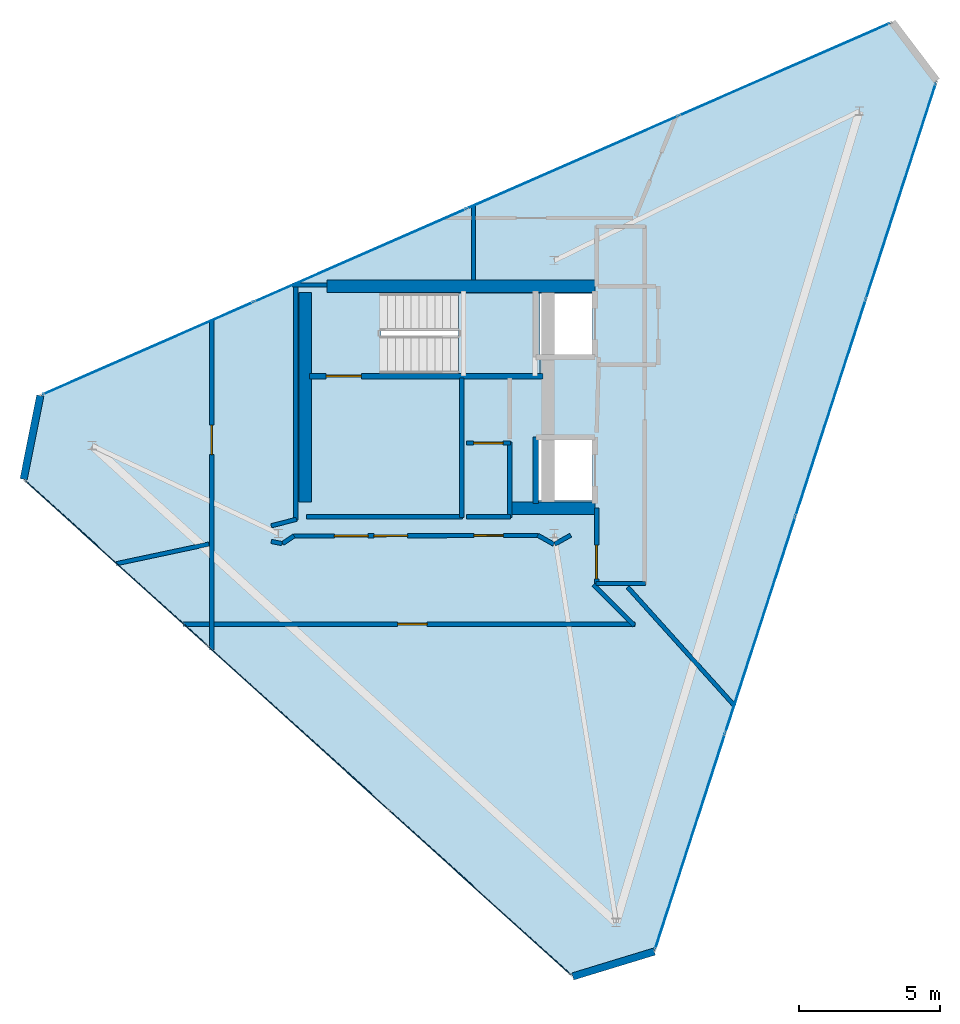
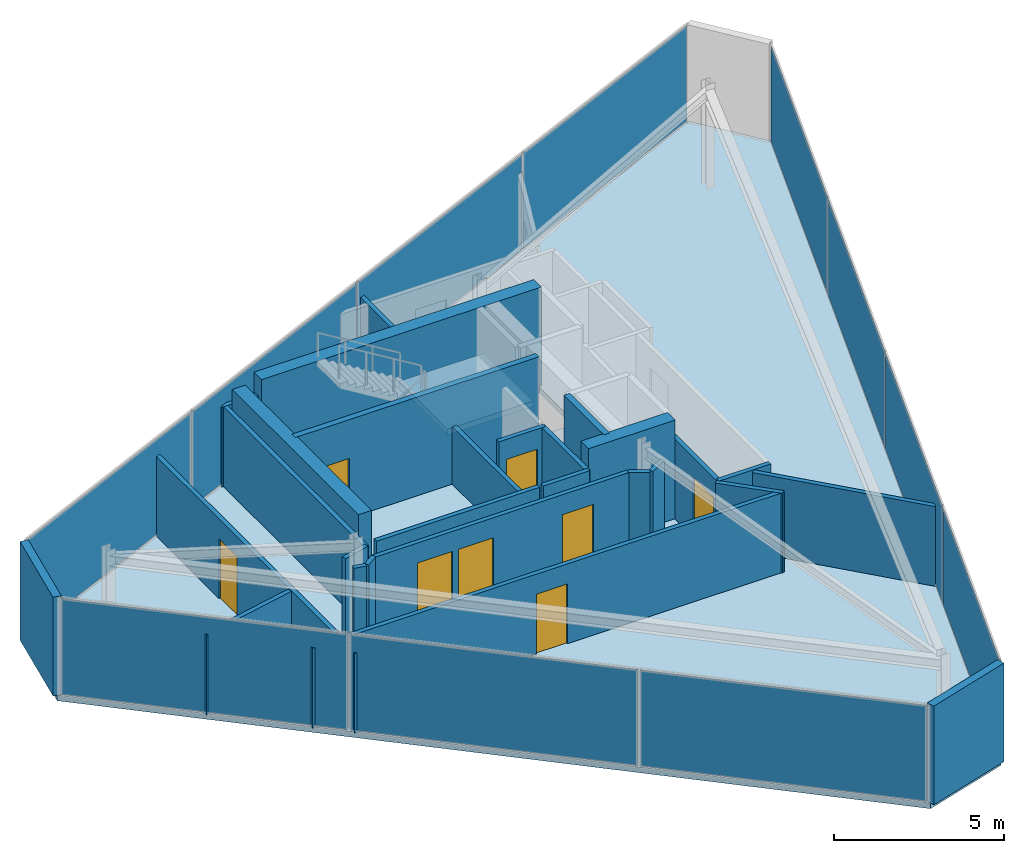
# One storey, part 14 of 16: 28 walls, 11 plates, 8 doors, 2 slabs, 8 openings, 4 elements without a shape of their own.
"""IFC4 building model written with IfcOpenShell, lengths in metres."""

from ifc_helpers import new_model, si_unit, direction, frame, frame_2d, origin, origin_2d, place, context, subcontext, project, spatial, polyline, rectangle, outline, extrude, material, layer, layer_set, type_object, element, fill, aggregate, save


model = new_model("IFC4")

# Units and contexts
model_context = context("Model", 3, precision=1e-05, world=origin(), true_north=direction((0.0, 1.0)))
body_context = subcontext(model_context, "Body", "Model", "MODEL_VIEW")
ifc_project = project(units=[si_unit("LENGTHUNIT", "METRE"), si_unit("AREAUNIT", "SQUARE_METRE"), si_unit("VOLUMEUNIT", "CUBIC_METRE"), si_unit("PLANEANGLEUNIT", "RADIAN"), si_unit("MASSUNIT", "GRAM", prefix="KILO")], contexts=[model_context])

# Site, building, storey
site_placement = place(None, origin())
site = spatial("IfcSite", under=ifc_project, at=site_placement, CompositionType="ELEMENT")
building_placement = place(site_placement, origin())
building = spatial("IfcBuilding", under=site, at=building_placement, Name="Qianvela Tower", CompositionType="ELEMENT")
storey_placement = place(building_placement, frame((0.0, 0.0, 367.550048828125)))
storey = spatial("IfcBuildingStorey", under=building, at=storey_placement, Name="L95", CompositionType="ELEMENT", Elevation=367.550048828125)

# Curtain wall, plates
ifc_material_1 = material(Name="Anodised Architectural Aluminium and Low-E Glass", Category="aluminium")
ifc_layer_1 = layer(ifc_material_1, 0.159912109375)
ifc_layer_set_1 = layer_set([ifc_layer_1], Name="Anodised Architectural Aluminium and Low-E Glass")
curtain_wall_type = type_object("IfcCurtainWallType", Name="CW-CROWN", PredefinedType="USERDEFINED", material=ifc_layer_set_1)
curtain_wall_1_placement = place(storey_placement, origin())
curtain_wall_1 = element("IfcCurtainWall", 1, at=curtain_wall_1_placement, inside=storey, type_object=curtain_wall_type, Name="L95 CW-CROWN Curtain Wall 02", ObjectType="CURTAIN_WALL_SYSTEM", PredefinedType="USERDEFINED")
ifc_material_2 = material(Name="Double-Silver Low-E Insulated Glass", Category="glass")
ifc_layer_2 = layer(ifc_material_2, 0.030029296875)
ifc_layer_set_2 = layer_set([ifc_layer_2], Name="Double-Silver Low-E Insulated Glass")
plate_type = type_object("IfcPlateType", Name="CW-CROWN-PNL", PredefinedType="CURTAIN_PANEL", material=ifc_layer_set_2)
plate_1_placement = place(storey_placement, frame((46.582763671875, 40.3466796875, 0.06005859375), z_axis=(0.0, 0.0, 1.0), x_axis=(-0.915907261247, -0.401389946055, 0.0)))
plate_1 = element("IfcPlate", 2, at=plate_1_placement, type_object=plate_type, Name="CW-8 panel 1.1", PredefinedType="CURTAIN_PANEL", context=body_context, shape_type="SweptSolid", body=[
    extrude(rectangle(XDim=8.14306640625, YDim=0.030029296875, at=origin_2d()), origin(), (0.0, 0.0, 1.0), 3.429931640625),
])
plate_2_placement = place(storey_placement, frame((39.050048828125, 37.045654296875, 0.06005859375), z_axis=(0.0, 0.0, 1.0), x_axis=(-0.915907261247, -0.401389946055, 0.0)))
plate_2 = element("IfcPlate", 3, at=plate_2_placement, type_object=plate_type, Name="CW-8 panel 2.1", PredefinedType="CURTAIN_PANEL", context=body_context, shape_type="SweptSolid", body=[
    extrude(rectangle(XDim=8.175537109375, YDim=0.030029296875, at=origin_2d()), origin(), (0.0, 0.0, 1.0), 3.429931640625),
])
plate_3_placement = place(storey_placement, frame((31.502685546875, 33.738037109375, 0.06005859375), z_axis=(0.0, 0.0, 1.0), x_axis=(-0.915907261247, -0.401389946055, 0.0)))
plate_3 = element("IfcPlate", 4, at=plate_3_placement, type_object=plate_type, Name="CW-8 panel 3.1", PredefinedType="CURTAIN_PANEL", context=body_context, shape_type="SweptSolid", body=[
    extrude(rectangle(XDim=8.175537109375, YDim=0.030029296875, at=origin_2d()), origin(), (0.0, 0.0, 1.0), 3.429931640625),
])
plate_4_placement = place(storey_placement, frame((23.969970703125, 30.436767578125, 0.06005859375), z_axis=(0.0, 0.0, 1.0), x_axis=(-0.915907261247, -0.401389946055, 0.0)))
plate_4 = element("IfcPlate", 5, at=plate_4_placement, type_object=plate_type, Name="CW-8 panel 4.1", PredefinedType="CURTAIN_PANEL", context=body_context, shape_type="SweptSolid", body=[
    extrude(rectangle(XDim=8.14306640625, YDim=0.030029296875, at=origin_2d()), origin(), (0.0, 0.0, 1.0), 3.429931640625),
])
aggregate(curtain_wall_1, [plate_1, plate_2, plate_3, plate_4])

curtain_wall_2_placement = place(storey_placement, origin())
curtain_wall_2 = element("IfcCurtainWall", 6, at=curtain_wall_2_placement, inside=storey, type_object=curtain_wall_type, Name="L95 CW-CROWN Curtain Wall 04", ObjectType="CURTAIN_WALL_SYSTEM", PredefinedType="USERDEFINED")
plate_5_placement = place(storey_placement, frame((22.831787109375, 22.8037109375, 0.06005859375), z_axis=(0.0, 0.0, 1.0), x_axis=(0.741272188003, -0.671204546538, 0.0)))
plate_5 = element("IfcPlate", 7, at=plate_5_placement, type_object=plate_type, Name="CW-8 panel 1.1", PredefinedType="CURTAIN_PANEL", context=body_context, shape_type="SweptSolid", body=[
    extrude(rectangle(XDim=8.646484375, YDim=0.030029296875, at=origin_2d()), origin(), (0.0, 0.0, 1.0), 3.429931640625),
])
plate_6_placement = place(storey_placement, frame((29.30126953125, 16.945556640625, 0.06005859375), z_axis=(0.0, 0.0, 1.0), x_axis=(0.741272188003, -0.671204546538, 0.0)))
plate_6 = element("IfcPlate", 8, at=plate_6_placement, type_object=plate_type, Name="CW-8 panel 2.1", PredefinedType="CURTAIN_PANEL", context=body_context, shape_type="SweptSolid", body=[
    extrude(rectangle(XDim=8.678955078125, YDim=0.030029296875, at=origin_2d()), origin(), (0.0, 0.0, 1.0), 3.429931640625),
])
plate_7_placement = place(storey_placement, frame((35.77099609375, 11.08740234375, 0.06005859375), z_axis=(0.0, 0.0, 1.0), x_axis=(0.741272188003, -0.671204546538, 0.0)))
plate_7 = element("IfcPlate", 9, at=plate_7_placement, type_object=plate_type, Name="CW-8 panel 3.1", PredefinedType="CURTAIN_PANEL", context=body_context, shape_type="SweptSolid", body=[
    extrude(rectangle(XDim=8.646484375, YDim=0.030029296875, at=origin_2d()), origin(), (0.0, 0.0, 1.0), 3.429931640625),
])
aggregate(curtain_wall_2, [plate_5, plate_6, plate_7])

curtain_wall_3_placement = place(storey_placement, origin())
curtain_wall_3 = element("IfcCurtainWall", 10, at=curtain_wall_3_placement, inside=storey, type_object=curtain_wall_type, Name="L95 CW-CROWN Curtain Wall 06", ObjectType="CURTAIN_WALL_SYSTEM", PredefinedType="USERDEFINED")
plate_8_placement = place(storey_placement, frame((43.232421875, 12.91357421875, 0.06005859375), z_axis=(0.0, 0.0, 1.0), x_axis=(0.30840367085, 0.951255578594, 0.0)))
plate_8 = element("IfcPlate", 11, at=plate_8_placement, type_object=plate_type, Name="CW-8 panel 1.1", PredefinedType="CURTAIN_PANEL", context=body_context, shape_type="SweptSolid", body=[
    extrude(rectangle(XDim=8.01171875, YDim=0.030029296875, at=origin_2d()), origin(), (0.0, 0.0, 1.0), 3.429931640625),
])
plate_9_placement = place(storey_placement, frame((45.728271484375, 20.612060546875, 0.06005859375), z_axis=(0.0, 0.0, 1.0), x_axis=(0.30840367085, 0.951255578594, 0.0)))
plate_9 = element("IfcPlate", 12, at=plate_9_placement, type_object=plate_type, Name="CW-8 panel 2.1", PredefinedType="CURTAIN_PANEL", context=body_context, shape_type="SweptSolid", body=[
    extrude(rectangle(XDim=8.044189453125, YDim=0.030029296875, at=origin_2d()), origin(), (0.0, 0.0, 1.0), 3.429931640625),
])
plate_10_placement = place(storey_placement, frame((48.229248046875, 28.325927734375, 0.06005859375), z_axis=(0.0, 0.0, 1.0), x_axis=(0.30840367085, 0.951255578594, 0.0)))
plate_10 = element("IfcPlate", 13, at=plate_10_placement, type_object=plate_type, Name="CW-8 panel 3.1", PredefinedType="CURTAIN_PANEL", context=body_context, shape_type="SweptSolid", body=[
    extrude(rectangle(XDim=8.044189453125, YDim=0.030029296875, at=origin_2d()), origin(), (0.0, 0.0, 1.0), 3.429931640625),
])
plate_11_placement = place(storey_placement, frame((50.72509765625, 36.0244140625, 0.06005859375), z_axis=(0.0, 0.0, 1.0), x_axis=(0.30840367085, 0.951255578594, 0.0)))
plate_11 = element("IfcPlate", 14, at=plate_11_placement, type_object=plate_type, Name="CW-8 panel 4.1", PredefinedType="CURTAIN_PANEL", context=body_context, shape_type="SweptSolid", body=[
    extrude(rectangle(XDim=8.01171875, YDim=0.030029296875, at=origin_2d()), origin(), (0.0, 0.0, 1.0), 3.429931640625),
])
aggregate(curtain_wall_3, [plate_8, plate_9, plate_10, plate_11])

# Slab
ifc_material_3 = material(Name="Concrete C40", Category="concrete")
ifc_layer_3 = layer(ifc_material_3, 0.199951171875)
ifc_layer_set_3 = layer_set([ifc_layer_3], Name="Concrete C40")
slab_type_1 = type_object("IfcSlabType", Name="SL-CROWN-200", PredefinedType="FLOOR", material=ifc_layer_set_3)
slab_1_placement = place(storey_placement, frame((0.0, 0.0, -0.199951171875)))
element("IfcSlab", 15, at=slab_1_placement, inside=storey, type_object=slab_type_1, Name="L95 Composite Structural Floor Slab", PredefinedType="FLOOR", context=body_context, shape_type="SweptSolid", body=[
    extrude(outline(polyline([(51.995849609375, 39.9443359375), (50.417236328125, 42.027099609375), (20.135498046875, 28.75634765625), (19.541748046875, 25.78271484375), (39.060791015625, 8.1083984375), (41.96142578125, 8.99365234375), (51.995849609375, 39.9443359375)]), holes=[polyline([(37.840087890625, 25.02001953125), (39.760009765625, 25.02001953125), (39.760009765625, 27.179931640625), (37.840087890625, 27.179931640625), (37.840087890625, 25.02001953125)]), polyline([(37.89990234375, 29.5400390625), (37.89990234375, 30.219970703125), (39.760009765625, 30.219970703125), (39.760009765625, 32.3798828125), (37.89990234375, 32.3798828125), (37.89990234375, 32.39990234375), (32.25, 32.39990234375), (32.25, 29.5400390625), (37.89990234375, 29.5400390625)])]), origin(), (0.0, 0.0, 1.0), 0.199951171875),
])

# Stair, slab
ifc_material_4 = material(Name="Concrete C40", Category="concrete")
stair_type = type_object("IfcStairType", Name="ST-DOGLEG-1350-R170-N22", PredefinedType="HALF_TURN_STAIR", material=ifc_material_4)
stair_placement = place(storey_placement, origin())
stair = element("IfcStair", 16, at=stair_placement, inside=storey, type_object=stair_type, Name="L95 Smoke-Proof Core Stair ST-1", PredefinedType="HALF_TURN_STAIR")
ifc_material_5 = material(Name="Concrete C40", Category="concrete")
ifc_layer_4 = layer(ifc_material_5, 0.199951171875)
ifc_layer_set_4 = layer_set([ifc_layer_4], Name="Concrete C40")
slab_type_2 = type_object("IfcSlabType", Name="SL-STAIR-LANDING-200", PredefinedType="LANDING", material=ifc_layer_set_4)
slab_2_placement = place(storey_placement, frame((0.0, 0.0, 1.675048828125)))
slab_2 = element("IfcSlab", 17, at=slab_2_placement, type_object=slab_type_2, Name="ST-1 landing 1", PredefinedType="LANDING", context=body_context, shape_type="SweptSolid", body=[
    extrude(outline(polyline([(35.0, 29.5400390625), (37.89990234375, 29.5400390625), (37.89990234375, 32.39990234375), (35.0, 32.39990234375), (35.0, 29.5400390625)])), origin(), (0.0, 0.0, 1.0), 0.199951171875),
])
aggregate(stair, [slab_2])

# Walls
ifc_material_6 = material(Name="Terracotta Cladding on Concrete C40", Category="masonry")
ifc_layer_5 = layer(ifc_material_6, 0.260009765625)
ifc_layer_set_5 = layer_set([ifc_layer_5], Name="Terracotta Cladding on Concrete C40")
wall_type_1 = type_object("IfcWallType", Name="TERRACOTTA-WALL-260", PredefinedType="SOLIDWALL", material=ifc_layer_set_5)
wall_1_placement = place(storey_placement, frame((20.135498046875, 28.75634765625, 0.0), z_axis=(0.0, 0.0, 1.0), x_axis=(-0.1958064618, -0.980642559508, 0.0)))
element("IfcWall", 18, at=wall_1_placement, inside=storey, type_object=wall_type_1, Name="L95 Crown Terracotta Cladding Wall 3", PredefinedType="SOLIDWALL", context=body_context, shape_type="SweptSolid", body=[
    extrude(rectangle(XDim=3.0322265625, YDim=0.260009765625, at=frame_2d((1.51611328125, 0.0))), origin(), (0.0, 0.0, 1.0), 3.550048828125),
])
wall_2_placement = place(storey_placement, frame((39.060791015625, 8.1083984375, 0.0), z_axis=(0.0, 0.0, 1.0), x_axis=(0.956448382661, 0.291901509598, 0.0)))
element("IfcWall", 19, at=wall_2_placement, inside=storey, type_object=wall_type_1, Name="L95 Crown Terracotta Cladding Wall 5", PredefinedType="SOLIDWALL", context=body_context, shape_type="SweptSolid", body=[
    extrude(rectangle(XDim=3.03271484375, YDim=0.260009765625, at=frame_2d((1.516357421875, 0.0))), origin(), (0.0, 0.0, 1.0), 3.550048828125),
])
ifc_material_7 = material(Name="Concrete C50", Category="concrete")
ifc_layer_6 = layer(ifc_material_7, 0.449951171875)
ifc_layer_set_6 = layer_set([ifc_layer_6], Name="Concrete C50")
wall_type_2 = type_object("IfcWallType", Name="WT-CORE-450", PredefinedType="SHEAR", material=ifc_layer_set_6)
wall_3_placement = place(storey_placement, frame((30.330078125, 32.64501953125, 0.0), z_axis=(0.0, 0.0, 1.0), x_axis=(1.0, 0.0, 0.0)))
element("IfcWall", 20, at=wall_3_placement, inside=storey, type_object=wall_type_2, Name="L95 North Core Shear Wall", PredefinedType="SHEAR", context=body_context, shape_type="SweptSolid", body=[
    extrude(rectangle(XDim=9.52001953125, YDim=0.449951171875, at=frame_2d((4.760009765625, 0.0))), origin(), (0.0, 0.0, 1.0), 3.550048828125),
])
wall_4_placement = place(storey_placement, frame((36.89990234375, 24.7548828125, 0.0), z_axis=(0.0, 0.0, 1.0), x_axis=(1.0, 0.0, 0.0)))
element("IfcWall", 21, at=wall_4_placement, inside=storey, type_object=wall_type_2, Name="L95 South Core Shear Wall", PredefinedType="SHEAR", context=body_context, shape_type="SweptSolid", body=[
    extrude(rectangle(XDim=2.9501953125, YDim=0.449951171875, at=frame_2d((1.47509765625, 0.0))), origin(), (0.0, 0.0, 1.0), 3.550048828125),
])
wall_5_placement = place(storey_placement, frame((29.554931640625, 24.97998046875, 0.0), z_axis=(0.0, 0.0, 1.0), x_axis=(0.0, 1.0, 0.0)))
element("IfcWall", 22, at=wall_5_placement, inside=storey, type_object=wall_type_2, Name="L95 West Core Shear Wall", PredefinedType="SHEAR", context=body_context, shape_type="SweptSolid", body=[
    extrude(rectangle(XDim=7.43994140625, YDim=0.449951171875, at=frame_2d((3.719970703125, 0.0))), origin(), (0.0, 0.0, 1.0), 3.550048828125),
])
ifc_material_8 = material(Name="Fire-Rated Acoustic Gypsum Board")
ifc_layer_7 = layer(ifc_material_8, 0.14990234375)
ifc_layer_set_7 = layer_set([ifc_layer_7], Name="Fire-Rated Acoustic Gypsum Board")
wall_type_3 = type_object("IfcWallType", Name="WT-CORR-150", PredefinedType="PARTITIONING", material=ifc_layer_set_7)
wall_6_placement = place(storey_placement, frame((35.14990234375, 24.450927734375, 0.0), z_axis=(0.0, 0.0, 1.0), x_axis=(-1.0, 0.0, 0.0)))
element("IfcWall", 23, at=wall_6_placement, inside=storey, type_object=wall_type_3, Name="L95 Partition 1", PredefinedType="PARTITIONING", context=body_context, shape_type="SweptSolid", body=[
    extrude(rectangle(XDim=5.5498046875, YDim=0.14990234375, at=frame_2d((2.77490234375, 0.0))), origin(), (0.0, 0.0, 1.0), 2.869873046875),
])
wall_7_placement = place(storey_placement, frame((35.118896484375, 29.3798828125, 0.0), z_axis=(0.0, 0.0, 1.0), x_axis=(0.0, -1.0, 0.0)))
element("IfcWall", 24, at=wall_7_placement, inside=storey, type_object=wall_type_3, Name="L95 Partition 4", PredefinedType="PARTITIONING", context=body_context, shape_type="SweptSolid", body=[
    extrude(rectangle(XDim=4.9599609375, YDim=0.14990234375, at=frame_2d((2.47998046875, 0.0))), origin(), (0.0, 0.0, 1.0), 2.079833984375),
])

# Wall, opening, door
wall_8_placement = place(storey_placement, frame((39.910888671875, 22.050048828125, 0.0), z_axis=(0.0, 0.0, 1.0), x_axis=(0.0, 1.0, 0.0)))
wall_8 = element("IfcWall", 25, at=wall_8_placement, inside=storey, type_object=wall_type_3, Name="L95 Partition 5", PredefinedType="PARTITIONING", context=body_context, shape_type="SweptSolid", body=[
    extrude(rectangle(XDim=2.7099609375, YDim=0.14990234375, at=frame_2d((1.35498046875, 0.0))), origin(), (0.0, 0.0, 1.0), 2.869873046875),
])
opening_1_placement = place(wall_8_placement, frame((0.195068359375, 0.0, 0.0)))
opening_1 = element("IfcOpeningElement", 26, at=opening_1_placement, cuts=wall_8, Name="Opening D-LB1", PredefinedType="OPENING", context=body_context, shape_type="SweptSolid", body=[
    extrude(rectangle(XDim=1.199951171875, YDim=2.14990234375, at=frame_2d((0.60009765625, 1.074951171875))), frame((0.0, 0.0849609375, 0.0), z_axis=(0.0, -1.0, 0.0), x_axis=(1.0, 0.0, 0.0)), (0.0, 0.0, 1.0), 0.169921875),
])
ifc_material_9 = material(Name="Glazed Fire-Rated Steel Frame", Category="steel")
door_type_1 = type_object("IfcDoorType", Name="DT-LOBBY-FD90", OperationType="NOTDEFINED", PredefinedType="DOOR", material=ifc_material_9)
door_1_placement = place(opening_1_placement, origin())
door_1 = element("IfcDoor", 27, at=door_1_placement, inside=storey, type_object=door_type_1, Name="L95 Door L95 Lift Lobby to L95 Crown Maintenance Corridor", OperationType="SINGLE_SWING_RIGHT", OverallHeight=2.14990234375, OverallWidth=1.199951171875, PredefinedType="DOOR", context=body_context, shape_type="SweptSolid", body=[
    extrude(rectangle(XDim=1.199951171875, YDim=2.14990234375, at=frame_2d((0.60009765625, 1.074951171875))), frame((0.0, 0.02490234375, 0.0), z_axis=(0.0, -1.0, 0.0), x_axis=(1.0, 0.0, 0.0)), (0.0, 0.0, 1.0), 0.050048828125),
])
fill(opening_1, door_1)

# Walls
wall_9_placement = place(storey_placement, frame((41.64990234375, 22.0810546875, 0.0), z_axis=(0.0, 0.0, 1.0), x_axis=(-1.0, 0.0, 0.0)))
element("IfcWall", 28, at=wall_9_placement, inside=storey, type_object=wall_type_3, Name="L95 Partition 11", PredefinedType="PARTITIONING", context=body_context, shape_type="SweptSolid", body=[
    extrude(rectangle(XDim=1.77001953125, YDim=0.14990234375, at=frame_2d((0.885009765625, 0.0))), origin(), (0.0, 0.0, 1.0), 2.869873046875),
])
wall_10_placement = place(storey_placement, frame((36.85009765625, 24.450927734375, 0.0), z_axis=(0.0, 0.0, 1.0), x_axis=(-1.0, 0.0, 0.0)))
element("IfcWall", 29, at=wall_10_placement, inside=storey, type_object=wall_type_3, Name="L95 Partition 12", PredefinedType="PARTITIONING", context=body_context, shape_type="SweptSolid", body=[
    extrude(rectangle(XDim=1.570068359375, YDim=0.14990234375, at=frame_2d((0.78515625, 0.0))), origin(), (0.0, 0.0, 1.0), 2.869873046875),
])

# Wall, opening, door
wall_11_placement = place(storey_placement, frame((35.280029296875, 27.069091796875, 0.0), z_axis=(0.0, 0.0, 1.0), x_axis=(1.0, 0.0, 0.0)))
wall_11 = element("IfcWall", 30, at=wall_11_placement, inside=storey, type_object=wall_type_3, Name="L95 Partition 14", PredefinedType="PARTITIONING", context=body_context, shape_type="SweptSolid", body=[
    extrude(rectangle(XDim=1.570068359375, YDim=0.14990234375, at=frame_2d((0.78515625, 0.0))), origin(), (0.0, 0.0, 1.0), 2.869873046875),
])
opening_2_placement = place(wall_11_placement, frame((0.260009765625, 0.0, 0.0)))
opening_2 = element("IfcOpeningElement", 31, at=opening_2_placement, cuts=wall_11, Name="Opening D-PL1", PredefinedType="OPENING", context=body_context, shape_type="SweptSolid", body=[
    extrude(rectangle(XDim=1.050048828125, YDim=2.14990234375, at=frame_2d((0.52490234375, 1.074951171875))), frame((0.0, 0.0849609375, 0.0), z_axis=(0.0, -1.0, 0.0), x_axis=(1.0, 0.0, 0.0)), (0.0, 0.0, 1.0), 0.169921875),
])
ifc_material_10 = material(Name="Insulated Steel Fire Door Q355B", Category="steel")
door_type_2 = type_object("IfcDoorType", Name="DT-PLANT-FD90", OperationType="NOTDEFINED", PredefinedType="DOOR", material=ifc_material_10)
door_2_placement = place(opening_2_placement, origin())
door_2 = element("IfcDoor", 32, at=door_2_placement, inside=storey, type_object=door_type_2, Name="L95 Door L95 Crown Smoke Fan Plant Room to L95 Crown Telecoms Equipment Room", OperationType="SINGLE_SWING_LEFT", OverallHeight=2.14990234375, OverallWidth=1.050048828125, PredefinedType="DOOR", context=body_context, shape_type="SweptSolid", body=[
    extrude(rectangle(XDim=1.050048828125, YDim=2.14990234375, at=frame_2d((0.52490234375, 1.074951171875))), frame((0.0, 0.02490234375, 0.0), z_axis=(0.0, -1.0, 0.0), x_axis=(1.0, 0.0, 0.0)), (0.0, 0.0, 1.0), 0.050048828125),
])
fill(opening_2, door_2)

# Walls
wall_12_placement = place(storey_placement, frame((36.819091796875, 27.10009765625, 0.0), z_axis=(0.0, 0.0, 1.0), x_axis=(0.0, -1.0, 0.0)))
element("IfcWall", 33, at=wall_12_placement, inside=storey, type_object=wall_type_3, Name="L95 Partition 15", PredefinedType="PARTITIONING", context=body_context, shape_type="SweptSolid", body=[
    extrude(rectangle(XDim=2.68017578125, YDim=0.14990234375, at=frame_2d((1.340087890625, 0.0))), origin(), (0.0, 0.0, 1.0), 2.869873046875),
])
wall_13_placement = place(storey_placement, frame((35.531005859375, 32.85791015625, 0.0), z_axis=(0.0, 0.0, 1.0), x_axis=(0.0, 1.0, 0.0)))
element("IfcWall", 34, at=wall_13_placement, inside=storey, type_object=wall_type_3, Name="L95 Partition 23", PredefinedType="PARTITIONING", context=body_context, shape_type="SweptSolid", body=[
    extrude(rectangle(XDim=2.66552734375, YDim=0.14990234375, at=frame_2d((1.332763671875, 0.0))), origin(), (0.0, 0.0, 1.0), 2.869873046875),
])
wall_14_placement = place(storey_placement, frame((29.2421875, 24.359375, 0.0), z_axis=(0.0, 0.0, 1.0), x_axis=(-0.968190928123, -0.250212563035, 0.0)))
element("IfcWall", 35, at=wall_14_placement, inside=storey, type_object=wall_type_3, Name="L95 Partition 25", PredefinedType="PARTITIONING", context=body_context, shape_type="SweptSolid", body=[
    extrude(rectangle(XDim=0.927001953125, YDim=0.14990234375, at=frame_2d((0.46337890625, 0.0))), origin(), (0.0, 0.0, 1.0), 2.869873046875),
])
wall_15_placement = place(storey_placement, frame((28.346435546875, 23.572021484375, 0.0), z_axis=(0.0, 0.0, 1.0), x_axis=(0.980749356168, -0.19527083852, 0.0)))
element("IfcWall", 36, at=wall_15_placement, inside=storey, type_object=wall_type_3, Name="L95 Partition 26", PredefinedType="PARTITIONING", context=body_context, shape_type="SweptSolid", body=[
    extrude(rectangle(XDim=0.388916015625, YDim=0.14990234375, at=frame_2d((0.1943359375, 0.0))), origin(), (0.0, 0.0, 1.0), 2.869873046875),
])
wall_16_placement = place(storey_placement, frame((28.751220703125, 23.5009765625, 0.0), z_axis=(0.0, 0.0, 1.0), x_axis=(0.831506528289, 0.555514980368, 0.0)))
element("IfcWall", 37, at=wall_16_placement, inside=storey, type_object=wall_type_3, Name="L95 Partition 27", PredefinedType="PARTITIONING", context=body_context, shape_type="SweptSolid", body=[
    extrude(rectangle(XDim=0.48388671875, YDim=0.14990234375, at=frame_2d((0.241943359375, 0.0))), origin(), (0.0, 0.0, 1.0), 2.869873046875),
])

# Wall, openings, doors
wall_17_placement = place(storey_placement, frame((29.136474609375, 23.764404296875, 0.0), z_axis=(0.0, 0.0, 1.0), x_axis=(0.999996877471, 0.002499009437, 0.0)))
wall_17 = element("IfcWall", 38, at=wall_17_placement, inside=storey, type_object=wall_type_3, Name="L95 Partition 28", PredefinedType="PARTITIONING", context=body_context, shape_type="SweptSolid", body=[
    extrude(rectangle(XDim=8.69482421875, YDim=0.14990234375, at=frame_2d((4.347412109375, 0.0))), origin(), (0.0, 0.0, 1.0), 2.869873046875),
])
opening_3_placement = place(wall_17_placement, frame((2.85400390625, 0.0, 0.0)))
opening_3 = element("IfcOpeningElement", 39, at=opening_3_placement, cuts=wall_17, Name="Opening D-LB1", PredefinedType="OPENING", context=body_context, shape_type="SweptSolid", body=[
    extrude(rectangle(XDim=1.199951171875, YDim=2.14990234375, at=frame_2d((0.60009765625, 1.074951171875))), frame((0.0, 0.0849609375, 0.0), z_axis=(0.0, -1.0, 0.0), x_axis=(1.0, 0.0, 0.0)), (0.0, 0.0, 1.0), 0.169921875),
])
opening_4_placement = place(wall_17_placement, frame((6.40673828125, 0.0, 0.0)))
opening_4 = element("IfcOpeningElement", 40, at=opening_4_placement, cuts=wall_17, Name="Opening D-PL1", PredefinedType="OPENING", context=body_context, shape_type="SweptSolid", body=[
    extrude(rectangle(XDim=1.050048828125, YDim=2.14990234375, at=frame_2d((0.52490234375, 1.074951171875))), frame((0.0, 0.0849609375, 0.0), z_axis=(0.0, -1.0, 0.0), x_axis=(1.0, 0.0, 0.0)), (0.0, 0.0, 1.0), 0.169921875),
])
opening_5_placement = place(wall_17_placement, frame((1.4541015625, 0.0, 0.0)))
opening_5 = element("IfcOpeningElement", 41, at=opening_5_placement, cuts=wall_17, Name="Opening D-LB1", PredefinedType="OPENING", context=body_context, shape_type="SweptSolid", body=[
    extrude(rectangle(XDim=1.199951171875, YDim=2.14990234375, at=frame_2d((0.60009765625, 1.074951171875))), frame((0.0, 0.0849609375, 0.0), z_axis=(0.0, -1.0, 0.0), x_axis=(1.0, 0.0, 0.0)), (0.0, 0.0, 1.0), 0.169921875),
])
door_3_placement = place(opening_3_placement, origin())
door_3 = element("IfcDoor", 42, at=door_3_placement, inside=storey, type_object=door_type_1, Name="L95 Door L95 Firefighting Lobby North to L95 Crown Maintenance Corridor", OperationType="SINGLE_SWING_LEFT", OverallHeight=2.14990234375, OverallWidth=1.199951171875, PredefinedType="DOOR", context=body_context, shape_type="SweptSolid", body=[
    extrude(rectangle(XDim=1.199951171875, YDim=2.14990234375, at=frame_2d((0.60009765625, 1.074951171875))), frame((0.0, 0.02490234375, 0.0), z_axis=(0.0, -1.0, 0.0), x_axis=(1.0, 0.0, 0.0)), (0.0, 0.0, 1.0), 0.050048828125),
])
fill(opening_3, door_3)
door_4_placement = place(opening_5_placement, origin())
door_4 = element("IfcDoor", 43, at=door_4_placement, inside=storey, type_object=door_type_1, Name="L95 Door L95 Firefighting Lobby North to L95 Crown Maintenance Corridor", OperationType="SINGLE_SWING_LEFT", OverallHeight=2.14990234375, OverallWidth=1.199951171875, PredefinedType="DOOR", context=body_context, shape_type="SweptSolid", body=[
    extrude(rectangle(XDim=1.199951171875, YDim=2.14990234375, at=frame_2d((0.60009765625, 1.074951171875))), frame((0.0, 0.02490234375, 0.0), z_axis=(0.0, -1.0, 0.0), x_axis=(1.0, 0.0, 0.0)), (0.0, 0.0, 1.0), 0.050048828125),
])
fill(opening_5, door_4)
door_5_placement = place(opening_4_placement, origin())
door_5 = element("IfcDoor", 44, at=door_5_placement, inside=storey, type_object=door_type_2, Name="L95 Door L95 Crown Telecoms Equipment Room to L95 Crown Maintenance Corridor", OperationType="SINGLE_SWING_LEFT", OverallHeight=2.14990234375, OverallWidth=1.050048828125, PredefinedType="DOOR", context=body_context, shape_type="SweptSolid", body=[
    extrude(rectangle(XDim=1.050048828125, YDim=2.14990234375, at=frame_2d((0.52490234375, 1.074951171875))), frame((0.0, 0.02490234375, 0.0), z_axis=(0.0, -1.0, 0.0), x_axis=(1.0, 0.0, 0.0)), (0.0, 0.0, 1.0), 0.050048828125),
])
fill(opening_4, door_5)

# Walls
wall_18_placement = place(storey_placement, frame((37.816162109375, 23.7900390625, 0.0), z_axis=(0.0, 0.0, 1.0), x_axis=(0.873431330758, -0.486947338478, 0.0)))
element("IfcWall", 45, at=wall_18_placement, inside=storey, type_object=wall_type_3, Name="L95 Partition 29", PredefinedType="PARTITIONING", context=body_context, shape_type="SweptSolid", body=[
    extrude(rectangle(XDim=0.6513671875, YDim=0.14990234375, at=frame_2d((0.32568359375, 0.0))), origin(), (0.0, 0.0, 1.0), 2.869873046875),
])
wall_19_placement = place(storey_placement, frame((38.4150390625, 23.472900390625, 0.0), z_axis=(0.0, 0.0, 1.0), x_axis=(0.873120406102, 0.487504621976, 0.0)))
element("IfcWall", 46, at=wall_19_placement, inside=storey, type_object=wall_type_3, Name="L95 Partition 30", PredefinedType="PARTITIONING", context=body_context, shape_type="SweptSolid", body=[
    extrude(rectangle(XDim=0.656494140625, YDim=0.14990234375, at=frame_2d((0.328125, 0.0))), origin(), (0.0, 0.0, 1.0), 2.869873046875),
])
wall_20_placement = place(storey_placement, frame((39.796142578125, 22.028076171875, 0.0), z_axis=(0.0, 0.0, 1.0), x_axis=(0.707106781187, -0.707106781187, 0.0)))
element("IfcWall", 47, at=wall_20_placement, inside=storey, type_object=wall_type_3, Name="L95 Partition 33", PredefinedType="PARTITIONING", context=body_context, shape_type="SweptSolid", body=[
    extrude(rectangle(XDim=2.050537109375, YDim=0.14990234375, at=frame_2d((1.025390625, 0.0))), origin(), (0.0, 0.0, 1.0), 2.869873046875),
])

# Wall, opening, door
wall_21_placement = place(storey_placement, frame((41.26806640625, 20.631103515625, 0.0), z_axis=(0.0, 0.0, 1.0), x_axis=(-1.0, 0.0, 0.0)))
wall_21 = element("IfcWall", 48, at=wall_21_placement, inside=storey, type_object=wall_type_3, Name="L95 Partition 34", PredefinedType="PARTITIONING", context=body_context, shape_type="SweptSolid", body=[
    extrude(rectangle(XDim=16.056884765625, YDim=0.14990234375, at=frame_2d((8.0283203125, 0.0))), origin(), (0.0, 0.0, 1.0), 2.869873046875),
])
opening_6_placement = place(wall_21_placement, frame((7.384033203125, 0.0, 0.0)))
opening_6 = element("IfcOpeningElement", 49, at=opening_6_placement, cuts=wall_21, Name="Opening D-PL1", PredefinedType="OPENING", context=body_context, shape_type="SweptSolid", body=[
    extrude(rectangle(XDim=1.050048828125, YDim=2.14990234375, at=frame_2d((0.52490234375, 1.074951171875))), frame((0.0, 0.0849609375, 0.0), z_axis=(0.0, -1.0, 0.0), x_axis=(1.0, 0.0, 0.0)), (0.0, 0.0, 1.0), 0.169921875),
])
door_6_placement = place(opening_6_placement, origin())
door_6 = element("IfcDoor", 50, at=door_6_placement, inside=storey, type_object=door_type_2, Name="L95 Door L95 Facade BMU Mechanical Plant Room to L95 Crown Maintenance Corridor", OperationType="SINGLE_SWING_RIGHT", OverallHeight=2.14990234375, OverallWidth=1.050048828125, PredefinedType="DOOR", context=body_context, shape_type="SweptSolid", body=[
    extrude(rectangle(XDim=1.050048828125, YDim=2.14990234375, at=frame_2d((0.52490234375, 1.074951171875))), frame((0.0, 0.02490234375, 0.0), z_axis=(0.0, -1.0, 0.0), x_axis=(1.0, 0.0, 0.0)), (0.0, 0.0, 1.0), 0.050048828125),
])
fill(opening_6, door_6)

wall_22_placement = place(storey_placement, frame((26.23095703125, 19.705810546875, 0.0), z_axis=(0.0, 0.0, 1.0), x_axis=(0.0, 1.0, 0.0)))
wall_22 = element("IfcWall", 51, at=wall_22_placement, inside=storey, type_object=wall_type_3, Name="L95 Partition 35", PredefinedType="PARTITIONING", context=body_context, shape_type="SweptSolid", body=[
    extrude(rectangle(XDim=11.741943359375, YDim=0.14990234375, at=frame_2d((5.87109375, 0.0))), origin(), (0.0, 0.0, 1.0), 2.869873046875),
])
opening_7_placement = place(wall_22_placement, frame((6.947998046875, 0.0, 0.0)))
opening_7 = element("IfcOpeningElement", 52, at=opening_7_placement, cuts=wall_22, Name="Opening D-PL1", PredefinedType="OPENING", context=body_context, shape_type="SweptSolid", body=[
    extrude(rectangle(XDim=1.050048828125, YDim=2.14990234375, at=frame_2d((0.52490234375, 1.074951171875))), frame((0.0, 0.0849609375, 0.0), z_axis=(0.0, -1.0, 0.0), x_axis=(1.0, 0.0, 0.0)), (0.0, 0.0, 1.0), 0.169921875),
])
door_7_placement = place(opening_7_placement, origin())
door_7 = element("IfcDoor", 53, at=door_7_placement, inside=storey, type_object=door_type_2, Name="L95 Door L95 Crown Cooling Water Treatment Plant Room to L95 Crown Maintenance Corridor", OperationType="SINGLE_SWING_RIGHT", OverallHeight=2.14990234375, OverallWidth=1.050048828125, PredefinedType="DOOR", context=body_context, shape_type="SweptSolid", body=[
    extrude(rectangle(XDim=1.050048828125, YDim=2.14990234375, at=frame_2d((0.52490234375, 1.074951171875))), frame((0.0, 0.02490234375, 0.0), z_axis=(0.0, -1.0, 0.0), x_axis=(1.0, 0.0, 0.0)), (0.0, 0.0, 1.0), 0.050048828125),
])
fill(opening_7, door_7)

# Walls
wall_23_placement = place(storey_placement, frame((29.218994140625, 32.757080078125, 0.0), z_axis=(0.0, 0.0, 1.0), x_axis=(0.0, -1.0, 0.0)))
element("IfcWall", 54, at=wall_23_placement, inside=storey, type_object=wall_type_3, Name="L95 Partition 37", PredefinedType="PARTITIONING", context=body_context, shape_type="SweptSolid", body=[
    extrude(rectangle(XDim=8.427734375, YDim=0.14990234375, at=frame_2d((4.2138671875, 0.0))), origin(), (0.0, 0.0, 1.0), 2.869873046875),
])
wall_24_placement = place(storey_placement, frame((22.834228515625, 22.779541015625, 0.0), z_axis=(0.0, 0.0, 1.0), x_axis=(0.978152398194, 0.20788911926, 0.0)))
element("IfcWall", 55, at=wall_24_placement, inside=storey, type_object=wall_type_3, Name="L95 Partition 38", PredefinedType="PARTITIONING", context=body_context, shape_type="SweptSolid", body=[
    extrude(rectangle(XDim=3.36572265625, YDim=0.14990234375, at=frame_2d((1.682861328125, 0.0))), origin(), (0.0, 0.0, 1.0), 2.869873046875),
])
wall_25_placement = place(storey_placement, frame((41.011474609375, 21.94921875, 0.0), z_axis=(0.0, 0.0, 1.0), x_axis=(0.669147587513, -0.743129535226, 0.0)))
element("IfcWall", 56, at=wall_25_placement, inside=storey, type_object=wall_type_3, Name="L95 Partition 43", PredefinedType="PARTITIONING", context=body_context, shape_type="SweptSolid", body=[
    extrude(rectangle(XDim=5.67919921875, YDim=0.14990234375, at=frame_2d((2.839599609375, 0.0))), origin(), (0.0, 0.0, 1.0), 2.869873046875),
])
wall_26_placement = place(storey_placement, frame((30.330078125, 32.68798828125, 0.0), z_axis=(0.0, 0.0, 1.0), x_axis=(-0.999998426292, 0.001774095375, 0.0)))
element("IfcWall", 57, at=wall_26_placement, inside=storey, type_object=wall_type_3, Name="L95 Partition 55 seg 1", PredefinedType="PARTITIONING", context=body_context, shape_type="SweptSolid", body=[
    extrude(rectangle(XDim=1.238525390625, YDim=0.14990234375, at=frame_2d((0.619140625, 0.0))), origin(), (0.0, 0.0, 1.0), 2.869873046875),
])

# Wall, opening, door
ifc_material_11 = material(Name="Concrete C50", Category="concrete")
ifc_layer_8 = layer(ifc_material_11, 0.199951171875)
ifc_layer_set_8 = layer_set([ifc_layer_8], Name="Concrete C50")
wall_type_4 = type_object("IfcWallType", Name="WT-SHAFT-200", PredefinedType="SOLIDWALL", material=ifc_layer_set_8)
wall_27_placement = place(storey_placement, frame((29.699951171875, 29.449951171875, 0.0), z_axis=(0.0, 0.0, 1.0), x_axis=(1.0, 0.0, 0.0)))
wall_27 = element("IfcWall", 58, at=wall_27_placement, inside=storey, type_object=wall_type_4, Name="L95 Stair ST-1 South Wall", PredefinedType="SOLIDWALL", context=body_context, shape_type="SweptSolid", body=[
    extrude(rectangle(XDim=8.300048828125, YDim=0.199951171875, at=frame_2d((4.14990234375, 0.0))), origin(), (0.0, 0.0, 1.0), 3.550048828125),
])
opening_8_placement = place(wall_27_placement, frame((0.594970703125, 0.0, 0.0)))
opening_8 = element("IfcOpeningElement", 59, at=opening_8_placement, cuts=wall_27, Name="Opening D-ST1", PredefinedType="OPENING", context=body_context, shape_type="SweptSolid", body=[
    extrude(rectangle(XDim=1.25, YDim=2.14990234375, at=frame_2d((0.625, 1.074951171875))), frame((0.0, 0.10986328125, 0.0), z_axis=(0.0, -1.0, 0.0), x_axis=(1.0, 0.0, 0.0)), (0.0, 0.0, 1.0), 0.219970703125),
])
ifc_material_12 = material(Name="Galvanised Fire Steel Q355B", Category="steel")
door_type_3 = type_object("IfcDoorType", Name="DT-STAIR-FD90", OperationType="NOTDEFINED", PredefinedType="DOOR", material=ifc_material_12)
door_8_placement = place(opening_8_placement, origin())
door_8 = element("IfcDoor", 60, at=door_8_placement, inside=storey, type_object=door_type_3, Name="L95 Stair ST-1 Exit Door", OperationType="SINGLE_SWING_LEFT", OverallHeight=2.14990234375, OverallWidth=1.25, PredefinedType="DOOR", context=body_context, shape_type="SweptSolid", body=[
    extrude(rectangle(XDim=1.25, YDim=2.14990234375, at=frame_2d((0.625, 1.074951171875))), frame((0.0, 0.02490234375, 0.0), z_axis=(0.0, -1.0, 0.0), x_axis=(1.0, 0.0, 0.0)), (0.0, 0.0, 1.0), 0.050048828125),
])
fill(opening_8, door_8)

# Wall
wall_28_placement = place(storey_placement, frame((37.75, 24.919921875, 0.0), z_axis=(0.0, 0.0, 1.0), x_axis=(0.0, 1.0, 0.0)))
element("IfcWall", 61, at=wall_28_placement, inside=storey, type_object=wall_type_4, Name="L95 Lift FL-2 W Shaft Wall", PredefinedType="SOLIDWALL", context=body_context, shape_type="SweptSolid", body=[
    extrude(rectangle(XDim=2.360107421875, YDim=0.199951171875, at=frame_2d((1.18017578125, 0.0))), origin(), (0.0, 0.0, 1.0), 3.550048828125),
])

save(model, "model.ifc")
